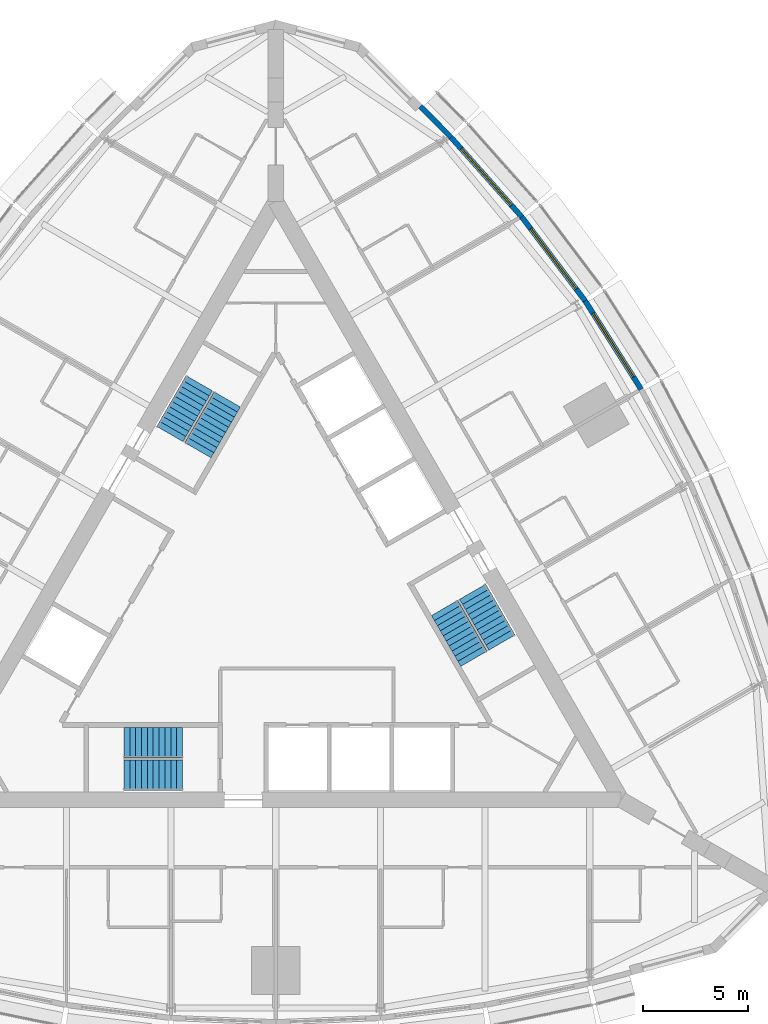
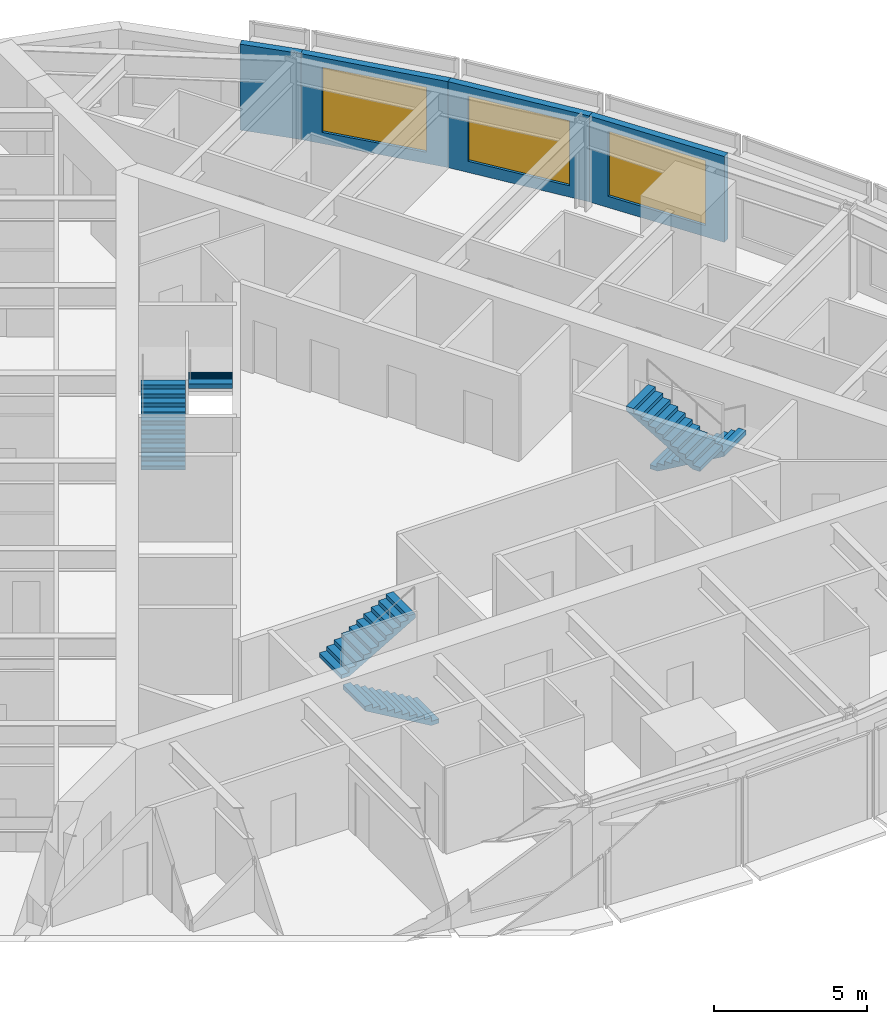
# One storey, part 14 of 15: 6 stair flights, 4 walls, 3 windows, 3 openings, 3 elements without a shape of their own.
"""IFC4 building model written with IfcOpenShell, lengths in metres."""

from ifc_helpers import new_model, si_unit, direction, frame, frame_2d, origin, place, context, subcontext, project, spatial, polyline, rectangle, outline, extrude, material, layer, layer_set, type_object, element, fill, aggregate, save


model = new_model("IFC4")

# Units and contexts
model_context = context("Model", 3, precision=1e-05, world=origin(), true_north=direction((0.0, 1.0)))
body_context = subcontext(model_context, "Body", "Model", "MODEL_VIEW")
ifc_project = project(units=[si_unit("LENGTHUNIT", "METRE"), si_unit("AREAUNIT", "SQUARE_METRE"), si_unit("VOLUMEUNIT", "CUBIC_METRE"), si_unit("PLANEANGLEUNIT", "RADIAN"), si_unit("MASSUNIT", "GRAM", prefix="KILO")], contexts=[model_context])

# Site, building, storey
site_placement = place(None, origin())
site = spatial("IfcSite", under=ifc_project, at=site_placement, CompositionType="ELEMENT")
building_placement = place(site_placement, origin())
building = spatial("IfcBuilding", under=site, at=building_placement, Name="Trikona Tower", CompositionType="ELEMENT")
storey_placement = place(building_placement, frame((0.0, 0.0, 208.10009765625)))
storey = spatial("IfcBuildingStorey", under=building, at=storey_placement, Name="L55", CompositionType="ELEMENT", Elevation=208.10009765625)

# Wall, opening, window
ifc_material_1 = material(Name="Insulated precast concrete spandrel panel", Category="concrete")
ifc_layer = layer(ifc_material_1, 0.25)
ifc_layer_set = layer_set([ifc_layer], Name="Inner skin wall 250")
wall_type = type_object("IfcWallType", Name="Inner skin wall 250", PredefinedType="STANDARD", material=ifc_layer_set)
wall_1_placement = place(storey_placement, frame((17.45556640625, 10.072021484375, 0.0), z_axis=(0.0, 0.0, 1.0), x_axis=(-0.535220361449, 0.844712474568, 0.0)))
wall_1 = element("IfcWall", 1, at=wall_1_placement, inside=storey, type_object=wall_type, Name="External wall L55-16", PredefinedType="STANDARD", context=body_context, shape_type="SweptSolid", body=[
    extrude(rectangle(XDim=5.00439453125, YDim=0.25, at=frame_2d((2.502197265625, 0.0))), origin(), (0.0, 0.0, 1.0), 3.434814453125),
])
opening_1_placement = place(wall_1_placement, frame((0.7021484375, 0.0, 0.449951171875)))
opening_1 = element("IfcOpeningElement", 2, at=opening_1_placement, cuts=wall_1, Name="Opening W3626", PredefinedType="OPENING", context=body_context, shape_type="SweptSolid", body=[
    extrude(rectangle(XDim=3.60009765625, YDim=2.60009765625, at=frame_2d((1.800048828125, 1.300048828125))), frame((0.0, 0.135009765625, 0.0), z_axis=(0.0, -1.0, 0.0), x_axis=(1.0, 0.0, 0.0)), (0.0, 0.0, 1.0), 0.27001953125),
])
ifc_material_2 = material(Name="Aluminium-framed double glazing", Category="aluminium")
window_type = type_object("IfcWindowType", Name="Window 3600x2600", PartitioningType="SINGLE_PANEL", PredefinedType="WINDOW", material=ifc_material_2)
window_1_placement = place(opening_1_placement, origin())
window_1 = element("IfcWindow", 3, at=window_1_placement, inside=storey, type_object=window_type, Name="Window 5509", OverallHeight=2.60009765625, OverallWidth=3.60009765625, PartitioningType="SINGLE_PANEL", PredefinedType="WINDOW", context=body_context, shape_type="SweptSolid", body=[
    extrude(rectangle(XDim=3.60009765625, YDim=2.60009765625, at=frame_2d((1.800048828125, 1.300048828125))), frame((0.0, 0.030029296875, 0.0), z_axis=(0.0, -1.0, 0.0), x_axis=(1.0, 0.0, 0.0)), (0.0, 0.0, 1.0), 0.06005859375),
])
fill(opening_1, window_1)

wall_2_placement = place(storey_placement, frame((14.782958984375, 14.290771484375, 0.0), z_axis=(0.0, 0.0, 1.0), x_axis=(-0.602408653511, 0.798187831388, 0.0)))
wall_2 = element("IfcWall", 4, at=wall_2_placement, inside=storey, type_object=wall_type, Name="External wall L55-17", PredefinedType="STANDARD", context=body_context, shape_type="SweptSolid", body=[
    extrude(rectangle(XDim=5.037841796875, YDim=0.25, at=frame_2d((2.51904296875, 0.0))), origin(), (0.0, 0.0, 1.0), 3.434814453125),
])
opening_2_placement = place(wall_2_placement, frame((0.718994140625, 0.0, 0.449951171875)))
opening_2 = element("IfcOpeningElement", 5, at=opening_2_placement, cuts=wall_2, Name="Opening W3626", PredefinedType="OPENING", context=body_context, shape_type="SweptSolid", body=[
    extrude(rectangle(XDim=3.60009765625, YDim=2.60009765625, at=frame_2d((1.800048828125, 1.300048828125))), frame((0.0, 0.135009765625, 0.0), z_axis=(0.0, -1.0, 0.0), x_axis=(1.0, 0.0, 0.0)), (0.0, 0.0, 1.0), 0.27001953125),
])
window_2_placement = place(opening_2_placement, origin())
window_2 = element("IfcWindow", 6, at=window_2_placement, inside=storey, type_object=window_type, Name="Window 5509", OverallHeight=2.60009765625, OverallWidth=3.60009765625, PartitioningType="SINGLE_PANEL", PredefinedType="WINDOW", context=body_context, shape_type="SweptSolid", body=[
    extrude(rectangle(XDim=3.60009765625, YDim=2.60009765625, at=frame_2d((1.800048828125, 1.300048828125))), frame((0.0, 0.030029296875, 0.0), z_axis=(0.0, -1.0, 0.0), x_axis=(1.0, 0.0, 0.0)), (0.0, 0.0, 1.0), 0.06005859375),
])
fill(opening_2, window_2)

wall_3_placement = place(storey_placement, frame((11.75439453125, 18.304443359375, 0.0), z_axis=(0.0, 0.0, 1.0), x_axis=(-0.664348996191, 0.747422511876, 0.0)))
wall_3 = element("IfcWall", 7, at=wall_3_placement, inside=storey, type_object=wall_type, Name="External wall L55-18", PredefinedType="STANDARD", context=body_context, shape_type="SweptSolid", body=[
    extrude(rectangle(XDim=5.104736328125, YDim=0.25, at=frame_2d((2.55224609375, 0.0))), origin(), (0.0, 0.0, 1.0), 3.434814453125),
])
opening_3_placement = place(wall_3_placement, frame((0.75244140625, 0.0, 0.449951171875)))
opening_3 = element("IfcOpeningElement", 8, at=opening_3_placement, cuts=wall_3, Name="Opening W3626", PredefinedType="OPENING", context=body_context, shape_type="SweptSolid", body=[
    extrude(rectangle(XDim=3.60009765625, YDim=2.60009765625, at=frame_2d((1.800048828125, 1.300048828125))), frame((0.0, 0.135009765625, 0.0), z_axis=(0.0, -1.0, 0.0), x_axis=(1.0, 0.0, 0.0)), (0.0, 0.0, 1.0), 0.27001953125),
])
window_3_placement = place(opening_3_placement, origin())
window_3 = element("IfcWindow", 9, at=window_3_placement, inside=storey, type_object=window_type, Name="Window 5510", OverallHeight=2.60009765625, OverallWidth=3.60009765625, PartitioningType="SINGLE_PANEL", PredefinedType="WINDOW", context=body_context, shape_type="SweptSolid", body=[
    extrude(rectangle(XDim=3.60009765625, YDim=2.60009765625, at=frame_2d((1.800048828125, 1.300048828125))), frame((0.0, 0.030029296875, 0.0), z_axis=(0.0, -1.0, 0.0), x_axis=(1.0, 0.0, 0.0)), (0.0, 0.0, 1.0), 0.06005859375),
])
fill(opening_3, window_3)

# Wall
wall_4_placement = place(storey_placement, frame((8.36767578125, 22.11474609375, 0.0), z_axis=(0.0, 0.0, 1.0), x_axis=(-0.704149946111, 0.710051303352, 0.0)))
element("IfcWall", 10, at=wall_4_placement, inside=storey, type_object=wall_type, Name="External wall L55-19", PredefinedType="STANDARD", context=body_context, shape_type="SweptSolid", body=[
    extrude(rectangle(XDim=2.068603515625, YDim=0.25, at=frame_2d((1.0341796875, 0.0))), origin(), (0.0, 0.0, 1.0), 3.434814453125),
])

# Stair, stair flights
ifc_material_3 = material(Name="Concrete f'c 5000 psi", Category="concrete")
stair_type = type_object("IfcStairType", Name="Core stair", PredefinedType="HALF_TURN_STAIR", material=ifc_material_3)
stair_1_placement = place(storey_placement, origin())
stair_1 = element("IfcStair", 11, at=stair_1_placement, inside=storey, type_object=stair_type, Name="Stair A L55", PredefinedType="HALF_TURN_STAIR")
ifc_material_4 = material(Name="Concrete f'c 5000 psi", Category="concrete")
stair_flight_type = type_object("IfcStairFlightType", Name="Core stair flight 1450", PredefinedType="STRAIGHT", material=ifc_material_4)
stair_flight_1_placement = place(storey_placement, frame((-4.449951171875, -8.351318359375, 0.0), z_axis=(0.0, 0.0, 1.0), x_axis=(-1.0, 0.0, 0.0)))
stair_flight_1 = element("IfcStairFlight", 12, at=stair_flight_1_placement, type_object=stair_flight_type, Name="ST-A flight 1", NumberOfRisers=11, NumberOfTreads=10, PredefinedType="STRAIGHT", RiserHeight=0.163636, TreadLength=0.28, context=body_context, shape_type="SweptSolid", body=[
    extrude(outline(polyline([(0.0, 0.0), (0.0, 0.16357421875), (0.280029296875, 0.16357421875), (0.280029296875, 0.327392578125), (0.56005859375, 0.327392578125), (0.56005859375, 0.490966796875), (0.840087890625, 0.490966796875), (0.840087890625, 0.654541015625), (1.1201171875, 0.654541015625), (1.1201171875, 0.818115234375), (1.39990234375, 0.818115234375), (1.39990234375, 0.98193359375), (1.679931640625, 0.98193359375), (1.679931640625, 1.1455078125), (1.9599609375, 1.1455078125), (1.9599609375, 1.30908203125), (2.239990234375, 1.30908203125), (2.239990234375, 1.47265625), (2.52001953125, 1.47265625), (2.52001953125, 1.636474609375), (2.800048828125, 1.636474609375), (2.800048828125, 1.800048828125), (2.800048828125, 1.462646484375), (0.297119140625, 0.0), (0.0, 0.0)])), frame((0.0, 0.72509765625, 0.0), z_axis=(0.0, -1.0, 0.0), x_axis=(1.0, 0.0, 0.0)), (0.0, 0.0, 1.0), 1.449951171875),
])
stair_flight_2_placement = place(storey_placement, frame((-7.25, -6.80126953125, 1.7998046875), z_axis=(0.0, 0.0, 1.0), x_axis=(1.0, 0.0, 0.0)))
stair_flight_2 = element("IfcStairFlight", 13, at=stair_flight_2_placement, type_object=stair_flight_type, Name="ST-A flight 2", NumberOfRisers=11, NumberOfTreads=10, PredefinedType="STRAIGHT", RiserHeight=0.163636, TreadLength=0.28, context=body_context, shape_type="SweptSolid", body=[
    extrude(outline(polyline([(0.0, 0.0), (0.0, 0.16357421875), (0.280029296875, 0.16357421875), (0.280029296875, 0.327392578125), (0.56005859375, 0.327392578125), (0.56005859375, 0.490966796875), (0.840087890625, 0.490966796875), (0.840087890625, 0.654541015625), (1.1201171875, 0.654541015625), (1.1201171875, 0.818115234375), (1.39990234375, 0.818115234375), (1.39990234375, 0.98193359375), (1.679931640625, 0.98193359375), (1.679931640625, 1.1455078125), (1.9599609375, 1.1455078125), (1.9599609375, 1.30908203125), (2.239990234375, 1.30908203125), (2.239990234375, 1.47265625), (2.52001953125, 1.47265625), (2.52001953125, 1.636474609375), (2.800048828125, 1.636474609375), (2.800048828125, 1.800048828125), (2.800048828125, 1.462646484375), (0.297119140625, 0.0), (0.0, 0.0)])), frame((0.0, 0.72509765625, 0.0), z_axis=(0.0, -1.0, 0.0), x_axis=(1.0, 0.0, 0.0)), (0.0, 0.0, 1.0), 1.449951171875),
])
aggregate(stair_1, [stair_flight_1, stair_flight_2])

stair_2_placement = place(storey_placement, origin())
stair_2 = element("IfcStair", 14, at=stair_2_placement, inside=storey, type_object=stair_type, Name="Stair B L55", PredefinedType="HALF_TURN_STAIR")
stair_flight_3_placement = place(storey_placement, frame((9.407470703125, 0.408447265625, 0.0), z_axis=(0.0, 0.0, 1.0), x_axis=(0.5, -0.866025403784, 0.0)))
stair_flight_3 = element("IfcStairFlight", 15, at=stair_flight_3_placement, type_object=stair_flight_type, Name="ST-B flight 1", NumberOfRisers=11, NumberOfTreads=10, PredefinedType="STRAIGHT", RiserHeight=0.163636, TreadLength=0.28, context=body_context, shape_type="SweptSolid", body=[
    extrude(outline(polyline([(0.0, 0.0), (0.0, 0.16357421875), (0.280029296875, 0.16357421875), (0.280029296875, 0.327392578125), (0.56005859375, 0.327392578125), (0.56005859375, 0.490966796875), (0.840087890625, 0.490966796875), (0.840087890625, 0.654541015625), (1.1201171875, 0.654541015625), (1.1201171875, 0.818115234375), (1.39990234375, 0.818115234375), (1.39990234375, 0.98193359375), (1.679931640625, 0.98193359375), (1.679931640625, 1.1455078125), (1.9599609375, 1.1455078125), (1.9599609375, 1.30908203125), (2.239990234375, 1.30908203125), (2.239990234375, 1.47265625), (2.52001953125, 1.47265625), (2.52001953125, 1.636474609375), (2.800048828125, 1.636474609375), (2.800048828125, 1.800048828125), (2.800048828125, 1.462646484375), (0.297119140625, 0.0), (0.0, 0.0)])), frame((0.0, 0.72509765625, 0.0), z_axis=(0.0, -1.0, 0.0), x_axis=(1.0, 0.0, 0.0)), (0.0, 0.0, 1.0), 1.449951171875),
])
stair_flight_4_placement = place(storey_placement, frame((9.465087890625, -2.79150390625, 1.7998046875), z_axis=(0.0, 0.0, 1.0), x_axis=(-0.5, 0.866025403784, 0.0)))
stair_flight_4 = element("IfcStairFlight", 16, at=stair_flight_4_placement, type_object=stair_flight_type, Name="ST-B flight 2", NumberOfRisers=11, NumberOfTreads=10, PredefinedType="STRAIGHT", RiserHeight=0.163636, TreadLength=0.28, context=body_context, shape_type="SweptSolid", body=[
    extrude(outline(polyline([(0.0, 0.0), (0.0, 0.16357421875), (0.280029296875, 0.16357421875), (0.280029296875, 0.327392578125), (0.56005859375, 0.327392578125), (0.56005859375, 0.490966796875), (0.840087890625, 0.490966796875), (0.840087890625, 0.654541015625), (1.1201171875, 0.654541015625), (1.1201171875, 0.818115234375), (1.39990234375, 0.818115234375), (1.39990234375, 0.98193359375), (1.679931640625, 0.98193359375), (1.679931640625, 1.1455078125), (1.9599609375, 1.1455078125), (1.9599609375, 1.30908203125), (2.239990234375, 1.30908203125), (2.239990234375, 1.47265625), (2.52001953125, 1.47265625), (2.52001953125, 1.636474609375), (2.800048828125, 1.636474609375), (2.800048828125, 1.800048828125), (2.800048828125, 1.462646484375), (0.297119140625, 0.0), (0.0, 0.0)])), frame((0.0, 0.72509765625, 0.0), z_axis=(0.0, -1.0, 0.0), x_axis=(1.0, 0.0, 0.0)), (0.0, 0.0, 1.0), 1.449951171875),
])
aggregate(stair_2, [stair_flight_3, stair_flight_4])

stair_3_placement = place(storey_placement, origin())
stair_3 = element("IfcStair", 17, at=stair_3_placement, inside=storey, type_object=stair_type, Name="Stair C L55", PredefinedType="HALF_TURN_STAIR")
stair_flight_5_placement = place(storey_placement, frame((-5.057373046875, 7.94287109375, 0.0), z_axis=(0.0, 0.0, 1.0), x_axis=(0.5, 0.866025403784, 0.0)))
stair_flight_5 = element("IfcStairFlight", 18, at=stair_flight_5_placement, type_object=stair_flight_type, Name="ST-C flight 1", NumberOfRisers=11, NumberOfTreads=10, PredefinedType="STRAIGHT", RiserHeight=0.163636, TreadLength=0.28, context=body_context, shape_type="SweptSolid", body=[
    extrude(outline(polyline([(0.0, 0.0), (0.0, 0.16357421875), (0.280029296875, 0.16357421875), (0.280029296875, 0.327392578125), (0.56005859375, 0.327392578125), (0.56005859375, 0.490966796875), (0.840087890625, 0.490966796875), (0.840087890625, 0.654541015625), (1.1201171875, 0.654541015625), (1.1201171875, 0.818115234375), (1.39990234375, 0.818115234375), (1.39990234375, 0.98193359375), (1.679931640625, 0.98193359375), (1.679931640625, 1.1455078125), (1.9599609375, 1.1455078125), (1.9599609375, 1.30908203125), (2.239990234375, 1.30908203125), (2.239990234375, 1.47265625), (2.52001953125, 1.47265625), (2.52001953125, 1.636474609375), (2.800048828125, 1.636474609375), (2.800048828125, 1.800048828125), (2.800048828125, 1.462646484375), (0.297119140625, 0.0), (0.0, 0.0)])), frame((0.0, 0.72509765625, 0.0), z_axis=(0.0, -1.0, 0.0), x_axis=(1.0, 0.0, 0.0)), (0.0, 0.0, 1.0), 1.449951171875),
])
stair_flight_6_placement = place(storey_placement, frame((-2.315185546875, 9.5927734375, 1.7998046875), z_axis=(0.0, 0.0, 1.0), x_axis=(-0.5, -0.866025403784, 0.0)))
stair_flight_6 = element("IfcStairFlight", 19, at=stair_flight_6_placement, type_object=stair_flight_type, Name="ST-C flight 2", NumberOfRisers=11, NumberOfTreads=10, PredefinedType="STRAIGHT", RiserHeight=0.163636, TreadLength=0.28, context=body_context, shape_type="SweptSolid", body=[
    extrude(outline(polyline([(0.0, 0.0), (0.0, 0.16357421875), (0.280029296875, 0.16357421875), (0.280029296875, 0.327392578125), (0.56005859375, 0.327392578125), (0.56005859375, 0.490966796875), (0.840087890625, 0.490966796875), (0.840087890625, 0.654541015625), (1.1201171875, 0.654541015625), (1.1201171875, 0.818115234375), (1.39990234375, 0.818115234375), (1.39990234375, 0.98193359375), (1.679931640625, 0.98193359375), (1.679931640625, 1.1455078125), (1.9599609375, 1.1455078125), (1.9599609375, 1.30908203125), (2.239990234375, 1.30908203125), (2.239990234375, 1.47265625), (2.52001953125, 1.47265625), (2.52001953125, 1.636474609375), (2.800048828125, 1.636474609375), (2.800048828125, 1.800048828125), (2.800048828125, 1.462646484375), (0.297119140625, 0.0), (0.0, 0.0)])), frame((0.0, 0.72509765625, 0.0), z_axis=(0.0, -1.0, 0.0), x_axis=(1.0, 0.0, 0.0)), (0.0, 0.0, 1.0), 1.449951171875),
])
aggregate(stair_3, [stair_flight_5, stair_flight_6])

save(model, "model.ifc")
